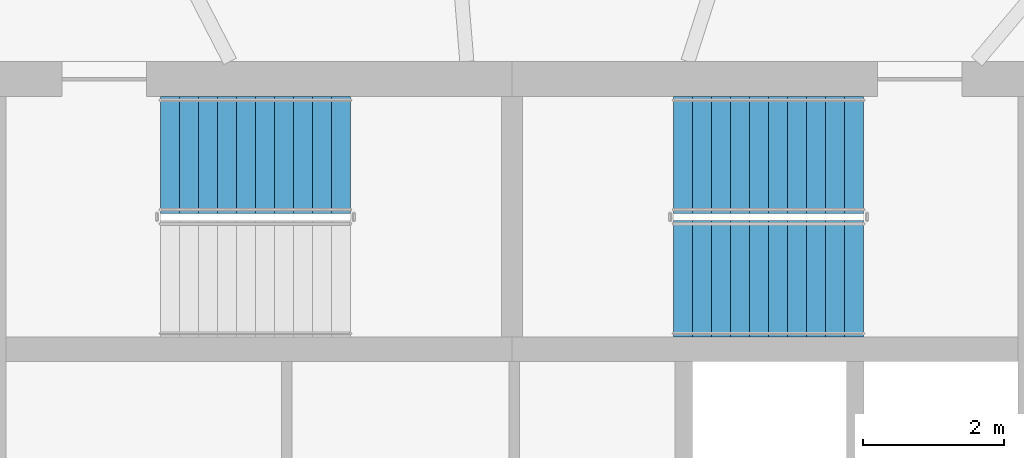
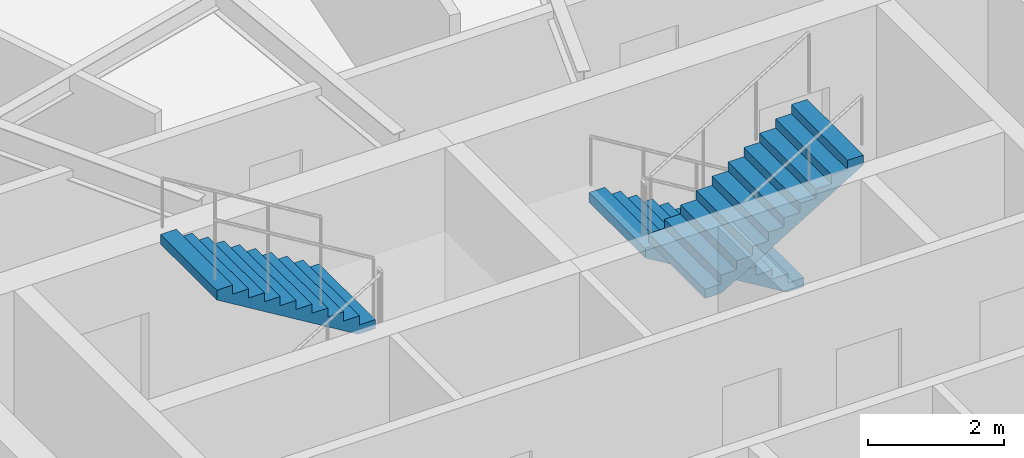
# One storey, part 10 of 13: 3 stair flights, 2 elements without a shape of their own.
"""IFC4 building model written with IfcOpenShell, lengths in metres."""

from ifc_helpers import new_model, si_unit, direction, frame, origin, place, context, subcontext, project, spatial, polyline, outline, extrude, material, type_object, element, aggregate, save


model = new_model("IFC4")

# Units and contexts
model_context = context("Model", 3, precision=1e-05, world=origin(), true_north=direction((0.0, 1.0)))
body_context = subcontext(model_context, "Body", "Model", "MODEL_VIEW")
ifc_project = project(units=[si_unit("LENGTHUNIT", "METRE"), si_unit("AREAUNIT", "SQUARE_METRE"), si_unit("VOLUMEUNIT", "CUBIC_METRE"), si_unit("PLANEANGLEUNIT", "RADIAN"), si_unit("MASSUNIT", "GRAM", prefix="KILO")], contexts=[model_context])

# Site, building, storey
site_placement = place(None, origin())
site = spatial("IfcSite", under=ifc_project, at=site_placement, CompositionType="ELEMENT")
building_placement = place(site_placement, origin())
building = spatial("IfcBuilding", under=site, at=building_placement, Name="Vermilion Reach Broadcast Tower", CompositionType="ELEMENT")
storey_placement = place(building_placement, frame((0.0, 0.0, 282.89990234375)))
storey = spatial("IfcBuildingStorey", under=building, at=storey_placement, Name="L70", CompositionType="ELEMENT", Elevation=282.89990234375)

# Stair, stair flight
ifc_material_1 = material(Name="Concrete C40", Category="concrete")
stair_type = type_object("IfcStairType", Name="Exit stair RC 22 risers 164 mm", PredefinedType="HALF_TURN_STAIR", material=ifc_material_1)
placement = place(storey_placement, origin())
stair_1 = element("IfcStair", 1, at=placement, inside=storey, type_object=stair_type, Name="L70 Exit stair ST1", PredefinedType="HALF_TURN_STAIR")
ifc_material_2 = material(Name="Concrete C40", Category="concrete")
stair_flight_type = type_object("IfcStairFlightType", Name="Exit stair flight RC 11 risers", PredefinedType="STRAIGHT", material=ifc_material_2)
stair_flight_1_placement = place(storey_placement, frame((-8.300048828125, 6.469970703125, 1.800048828125), z_axis=(0.0, 0.0, 1.0), x_axis=(-1.0, 0.0, 0.0)))
stair_flight_1 = element("IfcStairFlight", 2, at=stair_flight_1_placement, type_object=stair_flight_type, Name="ST1 flight 2", NumberOfRisers=11, NumberOfTreads=10, PredefinedType="STRAIGHT", RiserHeight=0.163636364, TreadLength=0.27, context=body_context, shape_type="SweptSolid", body=[
    extrude(outline(polyline([(0.0, 0.0), (0.0, 0.16357421875), (0.27001953125, 0.16357421875), (0.27001953125, 0.327392578125), (0.5400390625, 0.327392578125), (0.5400390625, 0.490966796875), (0.81005859375, 0.490966796875), (0.81005859375, 0.654541015625), (1.080078125, 0.654541015625), (1.080078125, 0.818115234375), (1.35009765625, 0.818115234375), (1.35009765625, 0.98193359375), (1.6201171875, 0.98193359375), (1.6201171875, 1.1455078125), (1.889892578125, 1.1455078125), (1.889892578125, 1.30908203125), (2.159912109375, 1.30908203125), (2.159912109375, 1.47265625), (2.429931640625, 1.47265625), (2.429931640625, 1.636474609375), (2.699951171875, 1.636474609375), (2.699951171875, 1.800048828125), (2.699951171875, 1.461181640625), (0.289306640625, 0.0), (0.0, 0.0)])), frame((0.0, 0.830078125, 0.0), z_axis=(0.0, -1.0, 0.0), x_axis=(1.0, 0.0, 0.0)), (0.0, 0.0, 1.0), 1.659912109375),
])
aggregate(stair_1, [stair_flight_1])

# Stair, stair flights
stair_2 = element("IfcStair", 3, at=placement, inside=storey, type_object=stair_type, Name="L70 Exit stair ST2", PredefinedType="HALF_TURN_STAIR")
stair_flight_2_placement = place(storey_placement, frame((-1.0, 6.469970703125, 0.0), z_axis=(0.0, 0.0, 1.0), x_axis=(-1.0, 0.0, 0.0)))
stair_flight_2 = element("IfcStairFlight", 4, at=stair_flight_2_placement, type_object=stair_flight_type, Name="ST2 flight 1", NumberOfRisers=11, NumberOfTreads=10, PredefinedType="STRAIGHT", RiserHeight=0.163636364, TreadLength=0.27, context=body_context, shape_type="SweptSolid", body=[
    extrude(outline(polyline([(0.0, 0.0), (0.0, 0.16357421875), (0.27001953125, 0.16357421875), (0.27001953125, 0.327392578125), (0.5400390625, 0.327392578125), (0.5400390625, 0.490966796875), (0.81005859375, 0.490966796875), (0.81005859375, 0.654541015625), (1.080078125, 0.654541015625), (1.080078125, 0.818115234375), (1.35009765625, 0.818115234375), (1.35009765625, 0.98193359375), (1.6201171875, 0.98193359375), (1.6201171875, 1.1455078125), (1.889892578125, 1.1455078125), (1.889892578125, 1.30908203125), (2.159912109375, 1.30908203125), (2.159912109375, 1.47265625), (2.429931640625, 1.47265625), (2.429931640625, 1.636474609375), (2.699951171875, 1.636474609375), (2.699951171875, 1.800048828125), (2.699951171875, 1.461181640625), (0.289306640625, 0.0), (0.0, 0.0)])), frame((0.0, 0.830078125, 0.0), z_axis=(0.0, -1.0, 0.0), x_axis=(1.0, 0.0, 0.0)), (0.0, 0.0, 1.0), 1.659912109375),
])
stair_flight_3_placement = place(storey_placement, frame((-3.699951171875, 4.7099609375, 1.800048828125), z_axis=(0.0, 0.0, 1.0), x_axis=(1.0, 0.0, 0.0)))
stair_flight_3 = element("IfcStairFlight", 5, at=stair_flight_3_placement, type_object=stair_flight_type, Name="ST2 flight 2", NumberOfRisers=11, NumberOfTreads=10, PredefinedType="STRAIGHT", RiserHeight=0.163636364, TreadLength=0.27, context=body_context, shape_type="SweptSolid", body=[
    extrude(outline(polyline([(0.0, 0.0), (0.0, 0.16357421875), (0.27001953125, 0.16357421875), (0.27001953125, 0.327392578125), (0.5400390625, 0.327392578125), (0.5400390625, 0.490966796875), (0.81005859375, 0.490966796875), (0.81005859375, 0.654541015625), (1.080078125, 0.654541015625), (1.080078125, 0.818115234375), (1.35009765625, 0.818115234375), (1.35009765625, 0.98193359375), (1.6201171875, 0.98193359375), (1.6201171875, 1.1455078125), (1.889892578125, 1.1455078125), (1.889892578125, 1.30908203125), (2.159912109375, 1.30908203125), (2.159912109375, 1.47265625), (2.429931640625, 1.47265625), (2.429931640625, 1.636474609375), (2.699951171875, 1.636474609375), (2.699951171875, 1.800048828125), (2.699951171875, 1.461181640625), (0.289306640625, 0.0), (0.0, 0.0)])), frame((0.0, 0.830078125, 0.0), z_axis=(0.0, -1.0, 0.0), x_axis=(1.0, 0.0, 0.0)), (0.0, 0.0, 1.0), 1.659912109375),
])
aggregate(stair_2, [stair_flight_2, stair_flight_3])

save(model, "model.ifc")
